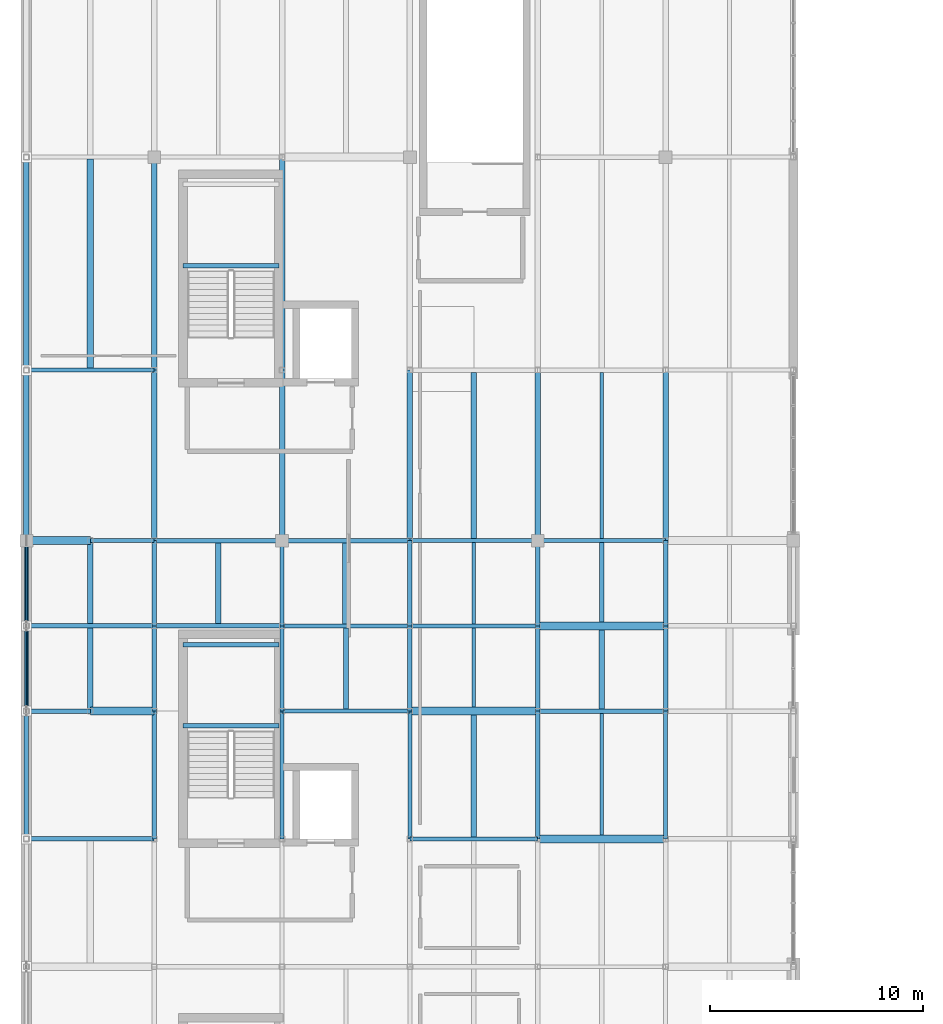
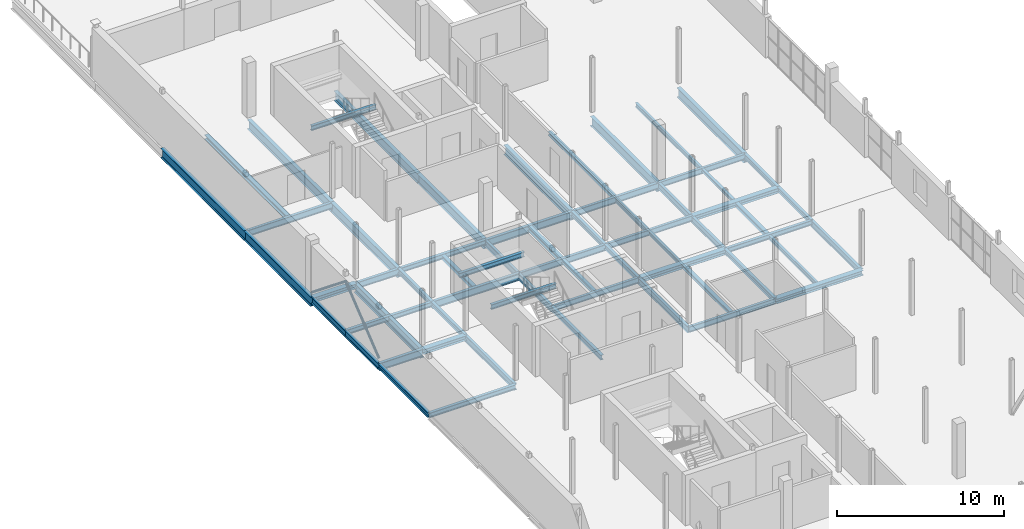
# One storey, part 16 of 35: 63 beams, 2 members.
"""IFC4 building model written with IfcOpenShell, lengths in metres."""

from ifc_helpers import new_model, si_unit, direction, frame, origin, origin_2d, place, context, subcontext, project, spatial, hollow_circle, i_section, extrude, material, material_profile, profile_set, type_object, element, save


model = new_model("IFC4")

# Units and contexts
model_context = context("Model", 3, precision=1e-05, world=origin(), true_north=direction((0.0, 1.0)))
body_context = subcontext(model_context, "Body", "Model", "MODEL_VIEW")
ifc_project = project(units=[si_unit("LENGTHUNIT", "METRE"), si_unit("AREAUNIT", "SQUARE_METRE"), si_unit("VOLUMEUNIT", "CUBIC_METRE"), si_unit("PLANEANGLEUNIT", "RADIAN"), si_unit("MASSUNIT", "GRAM", prefix="KILO")], contexts=[model_context])

# Site, building, storey
site_placement = place(None, origin())
site = spatial("IfcSite", under=ifc_project, at=site_placement, CompositionType="ELEMENT")
building_placement = place(site_placement, origin())
building = spatial("IfcBuilding", under=site, at=building_placement, Name="Verrall Gate Interchange", CompositionType="ELEMENT")
storey_placement = place(building_placement, frame((0.0, 0.0, 15.39990234375)))
storey = spatial("IfcBuildingStorey", under=building, at=storey_placement, Name="L04", CompositionType="ELEMENT", Elevation=15.39990234375)

# Beams
ifc_material_1 = material(Name="Structural Steel CSA G40.21 350WT Cat 4", Category="steel")
ifc_material_profile_1 = material_profile(ifc_material_1, i_section(OverallWidth=0.256103515625, OverallDepth=0.693115234375, WebThickness=0.01318359375, FlangeThickness=0.02001953125, FilletRadius=0.01611328125, at=origin_2d()), Name="W690x170")
ifc_profile_set_1 = profile_set([ifc_material_profile_1], Name="Structural Steel CSA G40.21 350WT Cat 4")
beam_type_1 = type_object("IfcBeamType", Name="B-07 Structural Beam W690x170", PredefinedType="BEAM", material=ifc_profile_set_1)
beam_1_placement = place(storey_placement, frame((0.0, 48.0, -0.676513671875), z_axis=(0.0, 1.0, 0.0), x_axis=(-1.0, 0.0, 0.0)))
element("IfcBeam", 1, at=beam_1_placement, inside=storey, type_object=beam_type_1, Name="L04 Girder BM-L04-2640 (B-07)", PredefinedType="BEAM", context=body_context, shape_type="SweptSolid", body=[
    extrude(i_section(OverallWidth=0.256103515625, OverallDepth=0.693115234375, WebThickness=0.01318359375, FlangeThickness=0.02001953125, FilletRadius=0.01611328125, at=origin_2d()), origin(), (0.0, 0.0, 1.0), 8.0),
])
beam_2_placement = place(storey_placement, frame((0.0, 56.0, -0.676513671875), z_axis=(0.0, 1.0, 0.0), x_axis=(-1.0, 0.0, 0.0)))
element("IfcBeam", 2, at=beam_2_placement, inside=storey, type_object=beam_type_1, Name="L04 Girder BM-L04-2641 (B-07)", PredefinedType="BEAM", context=body_context, shape_type="SweptSolid", body=[
    extrude(i_section(OverallWidth=0.256103515625, OverallDepth=0.693115234375, WebThickness=0.01318359375, FlangeThickness=0.02001953125, FilletRadius=0.01611328125, at=origin_2d()), origin(), (0.0, 0.0, 1.0), 10.0),
])
for number, where, z_axis, x_axis, name in (
    (3, (3.0, 40.0, -0.676513671875), (0.0, 1.0, 0.0), (-1.0, 0.0, 0.0), "L04 Girder BM-L04-2644 (B-07)"),
    (4, (6.0, 48.0, -0.676513671875), (0.0, 1.0, 0.0), (-1.0, 0.0, 0.0), "L04 Girder BM-L04-2654 (B-07)"),
):
    element("IfcBeam", number, at=place(storey_placement, frame(where, z_axis=z_axis, x_axis=x_axis)), inside=storey, type_object=beam_type_1, Name=name, PredefinedType="BEAM", context=body_context, shape_type="SweptSolid", body=[
        extrude(i_section(OverallWidth=0.256103515625, OverallDepth=0.693115234375, WebThickness=0.01318359375, FlangeThickness=0.02001953125, FilletRadius=0.01611328125, at=origin_2d()), origin(), (0.0, 0.0, 1.0), 8.0),
    ])
beam_3_placement = place(storey_placement, frame((6.0, 56.0, -0.676513671875), z_axis=(0.0, 1.0, 0.0), x_axis=(-1.0, 0.0, 0.0)))
element("IfcBeam", 5, at=beam_3_placement, inside=storey, type_object=beam_type_1, Name="L04 Girder BM-L04-2655 (B-07)", PredefinedType="BEAM", context=body_context, shape_type="SweptSolid", body=[
    extrude(i_section(OverallWidth=0.256103515625, OverallDepth=0.693115234375, WebThickness=0.01318359375, FlangeThickness=0.02001953125, FilletRadius=0.01611328125, at=origin_2d()), origin(), (0.0, 0.0, 1.0), 10.0),
])
beam_4_placement = place(storey_placement, frame((12.0, 48.0, -0.676513671875), z_axis=(0.0, 1.0, 0.0), x_axis=(-1.0, 0.0, 0.0)))
element("IfcBeam", 6, at=beam_4_placement, inside=storey, type_object=beam_type_1, Name="L04 Girder BM-L04-2667 (B-07)", PredefinedType="BEAM", context=body_context, shape_type="SweptSolid", body=[
    extrude(i_section(OverallWidth=0.256103515625, OverallDepth=0.693115234375, WebThickness=0.01318359375, FlangeThickness=0.02001953125, FilletRadius=0.01611328125, at=origin_2d()), origin(), (0.0, 0.0, 1.0), 8.0),
])
beam_5_placement = place(storey_placement, frame((12.0, 56.0, -0.676513671875), z_axis=(0.0, 1.0, 0.0), x_axis=(-1.0, 0.0, 0.0)))
element("IfcBeam", 7, at=beam_5_placement, inside=storey, type_object=beam_type_1, Name="L04 Girder BM-L04-2668 (B-07)", PredefinedType="BEAM", context=body_context, shape_type="SweptSolid", body=[
    extrude(i_section(OverallWidth=0.256103515625, OverallDepth=0.693115234375, WebThickness=0.01318359375, FlangeThickness=0.02001953125, FilletRadius=0.01611328125, at=origin_2d()), origin(), (0.0, 0.0, 1.0), 10.0),
])
for number, where, z_axis, x_axis, name in (
    (8, (18.0, 48.0, -0.676513671875), (0.0, 1.0, 0.0), (-1.0, 0.0, 0.0), "L04 Girder BM-L04-2680 (B-07)"),
    (9, (24.0, 48.0, -0.676513671875), (0.0, 1.0, 0.0), (-1.0, 0.0, 0.0), "L04 Girder BM-L04-2693 (B-07)"),
    (10, (30.0, 48.0, -0.676513671875), (0.0, 1.0, 0.0), (-1.0, 0.0, 0.0), "L04 Girder BM-L04-2706 (B-07)"),
):
    element("IfcBeam", number, at=place(storey_placement, frame(where, z_axis=z_axis, x_axis=x_axis)), inside=storey, type_object=beam_type_1, Name=name, PredefinedType="BEAM", context=body_context, shape_type="SweptSolid", body=[
        extrude(i_section(OverallWidth=0.256103515625, OverallDepth=0.693115234375, WebThickness=0.01318359375, FlangeThickness=0.02001953125, FilletRadius=0.01611328125, at=origin_2d()), origin(), (0.0, 0.0, 1.0), 8.0),
    ])
ifc_material_2 = material(Name="Structural Steel CSA G40.21 350W", Category="steel")
ifc_material_profile_2 = material_profile(ifc_material_2, i_section(OverallWidth=0.2109375, OverallDepth=0.5390625, WebThickness=0.01171875, FlangeThickness=0.018798828125, FilletRadius=0.013916015625, at=origin_2d()), Name="W530x109")
ifc_profile_set_2 = profile_set([ifc_material_profile_2], Name="Structural Steel CSA G40.21 350W")
beam_type_2 = type_object("IfcBeamType", Name="B-10 Structural Beam W530x109", PredefinedType="BEAM", material=ifc_profile_set_2)
beam_6_placement = place(storey_placement, frame((0.0, 40.0, -0.599365234375), z_axis=(1.0, 0.0, 0.0), x_axis=(0.0, 1.0, 0.0)))
element("IfcBeam", 11, at=beam_6_placement, inside=storey, type_object=beam_type_2, Name="L04 Girder BM-L04-2580 (B-10)", PredefinedType="BEAM", context=body_context, shape_type="SweptSolid", body=[
    extrude(i_section(OverallWidth=0.2109375, OverallDepth=0.5390625, WebThickness=0.01171875, FlangeThickness=0.018798828125, FilletRadius=0.013916015625, at=origin_2d()), origin(), (0.0, 0.0, 1.0), 3.0),
])
for number, where, z_axis, x_axis, name in (
    (12, (6.0, 44.0, -0.599365234375), (1.0, 0.0, 0.0), (0.0, 1.0, 0.0), "L04 Girder BM-L04-2592 (B-10)"),
    (13, (12.0, 48.0, -0.599365234375), (1.0, 0.0, 0.0), (0.0, 1.0, 0.0), "L04 Girder BM-L04-2606 (B-10)"),
):
    element("IfcBeam", number, at=place(storey_placement, frame(where, z_axis=z_axis, x_axis=x_axis)), inside=storey, type_object=beam_type_2, Name=name, PredefinedType="BEAM", context=body_context, shape_type="SweptSolid", body=[
        extrude(i_section(OverallWidth=0.2109375, OverallDepth=0.5390625, WebThickness=0.01171875, FlangeThickness=0.018798828125, FilletRadius=0.013916015625, at=origin_2d()), origin(), (0.0, 0.0, 1.0), 6.0),
    ])
ifc_material_3 = material(Name="Structural Steel CSA G40.21 350W", Category="steel")
ifc_material_profile_3 = material_profile(ifc_material_3, i_section(OverallWidth=0.19189453125, OverallDepth=0.462890625, WebThickness=0.010498046875, FlangeThickness=0.017578125, FilletRadius=0.012939453125, at=origin_2d()), Name="W460x89")
ifc_profile_set_3 = profile_set([ifc_material_profile_3], Name="Structural Steel CSA G40.21 350W")
beam_type_3 = type_object("IfcBeamType", Name="B-11 Structural Beam W460x89", PredefinedType="BEAM", material=ifc_profile_set_3)
beam_7_placement = place(storey_placement, frame((12.0, 44.0, -0.5615234375), z_axis=(1.0, 0.0, 0.0), x_axis=(0.0, 1.0, 0.0)))
element("IfcBeam", 14, at=beam_7_placement, inside=storey, type_object=beam_type_3, Name="L04 Girder BM-L04-2593 (B-11)", PredefinedType="BEAM", context=body_context, shape_type="SweptSolid", body=[
    extrude(i_section(OverallWidth=0.19189453125, OverallDepth=0.462890625, WebThickness=0.010498046875, FlangeThickness=0.017578125, FilletRadius=0.012939453125, at=origin_2d()), origin(), (0.0, 0.0, 1.0), 6.0),
])
beam_8_placement = place(storey_placement, frame((3.0, 48.0, -0.5615234375), z_axis=(1.0, 0.0, 0.0), x_axis=(0.0, 1.0, 0.0)))
element("IfcBeam", 15, at=beam_8_placement, inside=storey, type_object=beam_type_3, Name="L04 Girder BM-L04-2604 (B-11)", PredefinedType="BEAM", context=body_context, shape_type="SweptSolid", body=[
    extrude(i_section(OverallWidth=0.19189453125, OverallDepth=0.462890625, WebThickness=0.010498046875, FlangeThickness=0.017578125, FilletRadius=0.012939453125, at=origin_2d()), origin(), (0.0, 0.0, 1.0), 3.0),
])
for number, where, z_axis, x_axis, name in (
    (16, (18.0, 48.0, -0.5615234375), (1.0, 0.0, 0.0), (0.0, 1.0, 0.0), "L04 Girder BM-L04-2607 (B-11)"),
    (17, (0.0, 56.0, -0.5615234375), (1.0, 0.0, 0.0), (0.0, 1.0, 0.0), "L04 Girder BM-L04-2610 (B-11)"),
):
    element("IfcBeam", number, at=place(storey_placement, frame(where, z_axis=z_axis, x_axis=x_axis)), inside=storey, type_object=beam_type_3, Name=name, PredefinedType="BEAM", context=body_context, shape_type="SweptSolid", body=[
        extrude(i_section(OverallWidth=0.19189453125, OverallDepth=0.462890625, WebThickness=0.010498046875, FlangeThickness=0.017578125, FilletRadius=0.012939453125, at=origin_2d()), origin(), (0.0, 0.0, 1.0), 6.0),
    ])
for number, where, z_axis, x_axis, name in (
    (18, (0.0, 40.0, -0.5615234375), (0.0, 1.0, 0.0), (-1.0, 0.0, 0.0), "L04 Girder BM-L04-2638 (B-11)"),
    (19, (0.0, 44.0, -0.5615234375), (0.0, 1.0, 0.0), (-1.0, 0.0, 0.0), "L04 Girder BM-L04-2639 (B-11)"),
):
    element("IfcBeam", number, at=place(storey_placement, frame(where, z_axis=z_axis, x_axis=x_axis)), inside=storey, type_object=beam_type_3, Name=name, PredefinedType="BEAM", context=body_context, shape_type="SweptSolid", body=[
        extrude(i_section(OverallWidth=0.19189453125, OverallDepth=0.462890625, WebThickness=0.010498046875, FlangeThickness=0.017578125, FilletRadius=0.012939453125, at=origin_2d()), origin(), (0.0, 0.0, 1.0), 4.0),
    ])
beam_9_placement = place(storey_placement, frame((6.0, 34.0, -0.5615234375), z_axis=(0.0, 1.0, 0.0), x_axis=(-1.0, 0.0, 0.0)))
element("IfcBeam", 20, at=beam_9_placement, inside=storey, type_object=beam_type_3, Name="L04 Girder BM-L04-2651 (B-11)", PredefinedType="BEAM", context=body_context, shape_type="SweptSolid", body=[
    extrude(i_section(OverallWidth=0.19189453125, OverallDepth=0.462890625, WebThickness=0.010498046875, FlangeThickness=0.017578125, FilletRadius=0.012939453125, at=origin_2d()), origin(), (0.0, 0.0, 1.0), 6.0),
])
for number, where, z_axis, x_axis, name in (
    (21, (12.0, 40.0, -0.5615234375), (0.0, 1.0, 0.0), (-1.0, 0.0, 0.0), "L04 Girder BM-L04-2665 (B-11)"),
    (22, (12.0, 44.0, -0.5615234375), (0.0, 1.0, 0.0), (-1.0, 0.0, 0.0), "L04 Girder BM-L04-2666 (B-11)"),
):
    element("IfcBeam", number, at=place(storey_placement, frame(where, z_axis=z_axis, x_axis=x_axis)), inside=storey, type_object=beam_type_3, Name=name, PredefinedType="BEAM", context=body_context, shape_type="SweptSolid", body=[
        extrude(i_section(OverallWidth=0.19189453125, OverallDepth=0.462890625, WebThickness=0.010498046875, FlangeThickness=0.017578125, FilletRadius=0.012939453125, at=origin_2d()), origin(), (0.0, 0.0, 1.0), 4.0),
    ])
beam_10_placement = place(storey_placement, frame((18.0, 34.0, -0.5615234375), z_axis=(0.0, 1.0, 0.0), x_axis=(-1.0, 0.0, 0.0)))
element("IfcBeam", 23, at=beam_10_placement, inside=storey, type_object=beam_type_3, Name="L04 Girder BM-L04-2677 (B-11)", PredefinedType="BEAM", context=body_context, shape_type="SweptSolid", body=[
    extrude(i_section(OverallWidth=0.19189453125, OverallDepth=0.462890625, WebThickness=0.010498046875, FlangeThickness=0.017578125, FilletRadius=0.012939453125, at=origin_2d()), origin(), (0.0, 0.0, 1.0), 6.0),
])
for number, where, z_axis, x_axis, name in (
    (24, (24.0, 40.0, -0.5615234375), (0.0, 1.0, 0.0), (-1.0, 0.0, 0.0), "L04 Girder BM-L04-2691 (B-11)"),
    (25, (24.0, 44.0, -0.5615234375), (0.0, 1.0, 0.0), (-1.0, 0.0, 0.0), "L04 Girder BM-L04-2692 (B-11)"),
):
    element("IfcBeam", number, at=place(storey_placement, frame(where, z_axis=z_axis, x_axis=x_axis)), inside=storey, type_object=beam_type_3, Name=name, PredefinedType="BEAM", context=body_context, shape_type="SweptSolid", body=[
        extrude(i_section(OverallWidth=0.19189453125, OverallDepth=0.462890625, WebThickness=0.010498046875, FlangeThickness=0.017578125, FilletRadius=0.012939453125, at=origin_2d()), origin(), (0.0, 0.0, 1.0), 4.0),
    ])
beam_11_placement = place(storey_placement, frame((30.0, 34.0, -0.5615234375), z_axis=(0.0, 1.0, 0.0), x_axis=(-1.0, 0.0, 0.0)))
element("IfcBeam", 26, at=beam_11_placement, inside=storey, type_object=beam_type_3, Name="L04 Girder BM-L04-2703 (B-11)", PredefinedType="BEAM", context=body_context, shape_type="SweptSolid", body=[
    extrude(i_section(OverallWidth=0.19189453125, OverallDepth=0.462890625, WebThickness=0.010498046875, FlangeThickness=0.017578125, FilletRadius=0.012939453125, at=origin_2d()), origin(), (0.0, 0.0, 1.0), 6.0),
])
ifc_material_4 = material(Name="Structural Steel CSA G40.21 350W", Category="steel")
ifc_material_profile_4 = material_profile(ifc_material_4, i_section(OverallWidth=0.178955078125, OverallDepth=0.409912109375, WebThickness=0.0087890625, FlangeThickness=0.014404296875, FilletRadius=0.011962890625, at=origin_2d()), Name="W410x67")
ifc_profile_set_4 = profile_set([ifc_material_profile_4], Name="Structural Steel CSA G40.21 350W")
beam_type_4 = type_object("IfcBeamType", Name="B-12 Structural Beam W410x67", PredefinedType="BEAM", material=ifc_profile_set_4)
for number, where, z_axis, x_axis, name in (
    (27, (18.0, 34.0, -0.534912109375), (1.0, 0.0, 0.0), (0.0, 1.0, 0.0), "L04 Girder BM-L04-2573 (B-12)"),
    (28, (12.0, 40.0, -0.534912109375), (1.0, 0.0, 0.0), (0.0, 1.0, 0.0), "L04 Girder BM-L04-2582 (B-12)"),
    (29, (18.0, 44.0, -0.534912109375), (1.0, 0.0, 0.0), (0.0, 1.0, 0.0), "L04 Girder BM-L04-2594 (B-12)"),
    (30, (24.0, 48.0, -0.534912109375), (1.0, 0.0, 0.0), (0.0, 1.0, 0.0), "L04 Girder BM-L04-2608 (B-12)"),
):
    element("IfcBeam", number, at=place(storey_placement, frame(where, z_axis=z_axis, x_axis=x_axis)), inside=storey, type_object=beam_type_4, Name=name, PredefinedType="BEAM", context=body_context, shape_type="SweptSolid", body=[
        extrude(i_section(OverallWidth=0.178955078125, OverallDepth=0.409912109375, WebThickness=0.0087890625, FlangeThickness=0.014404296875, FilletRadius=0.011962890625, at=origin_2d()), origin(), (0.0, 0.0, 1.0), 6.0),
    ])
ifc_material_5 = material(Name="Structural Steel CSA G40.21 350W", Category="steel")
ifc_material_profile_5 = material_profile(ifc_material_5, i_section(OverallWidth=0.368896484375, OverallDepth=0.35595703125, WebThickness=0.01123046875, FlangeThickness=0.01806640625, FilletRadius=0.014892578125, at=origin_2d()), Name="W360x134")
ifc_profile_set_5 = profile_set([ifc_material_profile_5], Name="Structural Steel CSA G40.21 350W")
beam_type_5 = type_object("IfcBeamType", Name="B-13 Structural Beam W360x134", PredefinedType="BEAM", material=ifc_profile_set_5)
beam_12_placement = place(storey_placement, frame((24.0, 34.0, -0.5078125), z_axis=(1.0, 0.0, 0.0), x_axis=(0.0, 1.0, 0.0)))
element("IfcBeam", 31, at=beam_12_placement, inside=storey, type_object=beam_type_5, Name="L04 Girder BM-L04-2574 (B-13)", PredefinedType="BEAM", context=body_context, shape_type="SweptSolid", body=[
    extrude(i_section(OverallWidth=0.368896484375, OverallDepth=0.35595703125, WebThickness=0.01123046875, FlangeThickness=0.01806640625, FilletRadius=0.014892578125, at=origin_2d()), origin(), (0.0, 0.0, 1.0), 6.0),
])
beam_13_placement = place(storey_placement, frame((3.0, 40.0, -0.5078125), z_axis=(1.0, 0.0, 0.0), x_axis=(0.0, 1.0, 0.0)))
element("IfcBeam", 32, at=beam_13_placement, inside=storey, type_object=beam_type_5, Name="L04 Girder BM-L04-2581 (B-13)", PredefinedType="BEAM", context=body_context, shape_type="SweptSolid", body=[
    extrude(i_section(OverallWidth=0.368896484375, OverallDepth=0.35595703125, WebThickness=0.01123046875, FlangeThickness=0.01806640625, FilletRadius=0.014892578125, at=origin_2d()), origin(), (0.0, 0.0, 1.0), 3.0),
])
for number, where, z_axis, x_axis, name in (
    (33, (18.0, 40.0, -0.5078125), (1.0, 0.0, 0.0), (0.0, 1.0, 0.0), "L04 Girder BM-L04-2583 (B-13)"),
    (34, (24.0, 44.0, -0.5078125), (1.0, 0.0, 0.0), (0.0, 1.0, 0.0), "L04 Girder BM-L04-2595 (B-13)"),
):
    element("IfcBeam", number, at=place(storey_placement, frame(where, z_axis=z_axis, x_axis=x_axis)), inside=storey, type_object=beam_type_5, Name=name, PredefinedType="BEAM", context=body_context, shape_type="SweptSolid", body=[
        extrude(i_section(OverallWidth=0.368896484375, OverallDepth=0.35595703125, WebThickness=0.01123046875, FlangeThickness=0.01806640625, FilletRadius=0.014892578125, at=origin_2d()), origin(), (0.0, 0.0, 1.0), 6.0),
    ])
beam_14_placement = place(storey_placement, frame((0.0, 48.0, -0.5078125), z_axis=(1.0, 0.0, 0.0), x_axis=(0.0, 1.0, 0.0)))
element("IfcBeam", 35, at=beam_14_placement, inside=storey, type_object=beam_type_5, Name="L04 Girder BM-L04-2603 (B-13)", PredefinedType="BEAM", context=body_context, shape_type="SweptSolid", body=[
    extrude(i_section(OverallWidth=0.368896484375, OverallDepth=0.35595703125, WebThickness=0.01123046875, FlangeThickness=0.01806640625, FilletRadius=0.014892578125, at=origin_2d()), origin(), (0.0, 0.0, 1.0), 3.0),
])
ifc_material_6 = material(Name="Structural Steel CSA G40.21 350W", Category="steel")
ifc_material_profile_6 = material_profile(ifc_material_6, i_section(OverallWidth=0.205078125, OverallDepth=0.35400390625, WebThickness=0.009521484375, FlangeThickness=0.016845703125, FilletRadius=0.012939453125, at=origin_2d()), Name="W360x79")
ifc_profile_set_6 = profile_set([ifc_material_profile_6], Name="Structural Steel CSA G40.21 350W")
beam_type_6 = type_object("IfcBeamType", Name="B-14 Structural Beam W360x79", PredefinedType="BEAM", material=ifc_profile_set_6)
for number, where, z_axis, x_axis, name in (
    (36, (0.0, 34.0, -0.5068359375), (1.0, 0.0, 0.0), (0.0, 1.0, 0.0), "L04 Girder BM-L04-2572 (B-14)"),
    (37, (24.0, 40.0, -0.5068359375), (1.0, 0.0, 0.0), (0.0, 1.0, 0.0), "L04 Girder BM-L04-2584 (B-14)"),
    (38, (0.0, 44.0, -0.5068359375), (1.0, 0.0, 0.0), (0.0, 1.0, 0.0), "L04 Girder BM-L04-2591 (B-14)"),
    (39, (6.0, 48.0, -0.5068359375), (1.0, 0.0, 0.0), (0.0, 1.0, 0.0), "L04 Girder BM-L04-2605 (B-14)"),
    (40, (0.0, 34.0, -0.5068359375), (0.0, 1.0, 0.0), (-1.0, 0.0, 0.0), "L04 Girder BM-L04-2637 (B-14)"),
):
    element("IfcBeam", number, at=place(storey_placement, frame(where, z_axis=z_axis, x_axis=x_axis)), inside=storey, type_object=beam_type_6, Name=name, PredefinedType="BEAM", context=body_context, shape_type="SweptSolid", body=[
        extrude(i_section(OverallWidth=0.205078125, OverallDepth=0.35400390625, WebThickness=0.009521484375, FlangeThickness=0.016845703125, FilletRadius=0.012939453125, at=origin_2d()), origin(), (0.0, 0.0, 1.0), 6.0),
    ])
for number, where, z_axis, x_axis, name in (
    (41, (6.0, 40.0, -0.5068359375), (0.0, 1.0, 0.0), (-1.0, 0.0, 0.0), "L04 Girder BM-L04-2652 (B-14)"),
    (42, (6.0, 44.0, -0.5068359375), (0.0, 1.0, 0.0), (-1.0, 0.0, 0.0), "L04 Girder BM-L04-2653 (B-14)"),
):
    element("IfcBeam", number, at=place(storey_placement, frame(where, z_axis=z_axis, x_axis=x_axis)), inside=storey, type_object=beam_type_6, Name=name, PredefinedType="BEAM", context=body_context, shape_type="SweptSolid", body=[
        extrude(i_section(OverallWidth=0.205078125, OverallDepth=0.35400390625, WebThickness=0.009521484375, FlangeThickness=0.016845703125, FilletRadius=0.012939453125, at=origin_2d()), origin(), (0.0, 0.0, 1.0), 4.0),
    ])
beam_15_placement = place(storey_placement, frame((12.0, 34.0, -0.5068359375), z_axis=(0.0, 1.0, 0.0), x_axis=(-1.0, 0.0, 0.0)))
element("IfcBeam", 43, at=beam_15_placement, inside=storey, type_object=beam_type_6, Name="L04 Girder BM-L04-2664 (B-14)", PredefinedType="BEAM", context=body_context, shape_type="SweptSolid", body=[
    extrude(i_section(OverallWidth=0.205078125, OverallDepth=0.35400390625, WebThickness=0.009521484375, FlangeThickness=0.016845703125, FilletRadius=0.012939453125, at=origin_2d()), origin(), (0.0, 0.0, 1.0), 6.0),
])
for number, where, z_axis, x_axis, name in (
    (44, (18.0, 40.0, -0.5068359375), (0.0, 1.0, 0.0), (-1.0, 0.0, 0.0), "L04 Girder BM-L04-2678 (B-14)"),
    (45, (18.0, 44.0, -0.5068359375), (0.0, 1.0, 0.0), (-1.0, 0.0, 0.0), "L04 Girder BM-L04-2679 (B-14)"),
):
    element("IfcBeam", number, at=place(storey_placement, frame(where, z_axis=z_axis, x_axis=x_axis)), inside=storey, type_object=beam_type_6, Name=name, PredefinedType="BEAM", context=body_context, shape_type="SweptSolid", body=[
        extrude(i_section(OverallWidth=0.205078125, OverallDepth=0.35400390625, WebThickness=0.009521484375, FlangeThickness=0.016845703125, FilletRadius=0.012939453125, at=origin_2d()), origin(), (0.0, 0.0, 1.0), 4.0),
    ])
beam_16_placement = place(storey_placement, frame((24.0, 34.0, -0.5068359375), z_axis=(0.0, 1.0, 0.0), x_axis=(-1.0, 0.0, 0.0)))
element("IfcBeam", 46, at=beam_16_placement, inside=storey, type_object=beam_type_6, Name="L04 Girder BM-L04-2690 (B-14)", PredefinedType="BEAM", context=body_context, shape_type="SweptSolid", body=[
    extrude(i_section(OverallWidth=0.205078125, OverallDepth=0.35400390625, WebThickness=0.009521484375, FlangeThickness=0.016845703125, FilletRadius=0.012939453125, at=origin_2d()), origin(), (0.0, 0.0, 1.0), 6.0),
])
for number, where, z_axis, x_axis, name in (
    (47, (30.0, 40.0, -0.5068359375), (0.0, 1.0, 0.0), (-1.0, 0.0, 0.0), "L04 Girder BM-L04-2704 (B-14)"),
    (48, (30.0, 44.0, -0.5068359375), (0.0, 1.0, 0.0), (-1.0, 0.0, 0.0), "L04 Girder BM-L04-2705 (B-14)"),
):
    element("IfcBeam", number, at=place(storey_placement, frame(where, z_axis=z_axis, x_axis=x_axis)), inside=storey, type_object=beam_type_6, Name=name, PredefinedType="BEAM", context=body_context, shape_type="SweptSolid", body=[
        extrude(i_section(OverallWidth=0.205078125, OverallDepth=0.35400390625, WebThickness=0.009521484375, FlangeThickness=0.016845703125, FilletRadius=0.012939453125, at=origin_2d()), origin(), (0.0, 0.0, 1.0), 4.0),
    ])
for number, where, z_axis, x_axis, name in (
    (49, (7.35009765625, 39.31005859375, 1.630126953125), (1.0, 0.0, 0.0), (0.0, 1.0, 0.0), "L04 Core C2 Mid-Landing Beam 1"),
    (50, (7.35009765625, 43.1201171875, 1.630126953125), (1.0, 0.0, 0.0), (0.0, 1.0, 0.0), "L04 Core C2 Mid-Landing Beam 2"),
    (51, (7.35009765625, 60.909912109375, 1.630126953125), (1.0, 0.0, 0.0), (0.0, 1.0, 0.0), "L04 Core C3 Mid-Landing Beam 1"),
):
    element("IfcBeam", number, at=place(storey_placement, frame(where, z_axis=z_axis, x_axis=x_axis)), inside=storey, type_object=beam_type_6, Name=name, PredefinedType="BEAM", context=body_context, shape_type="SweptSolid", body=[
        extrude(i_section(OverallWidth=0.205078125, OverallDepth=0.35400390625, WebThickness=0.009521484375, FlangeThickness=0.016845703125, FilletRadius=0.012939453125, at=origin_2d()), origin(), (0.0, 0.0, 1.0), 4.5),
    ])

# Members
ifc_material_7 = material(Name="Structural Steel CSA G40.21 350W", Category="steel")
ifc_material_profile_7 = material_profile(ifc_material_7, hollow_circle(Radius=0.084228515625, WallThickness=0.00634765625, at=origin_2d()), Name="HSS168x6.4")
ifc_profile_set_7 = profile_set([ifc_material_profile_7], Name="Structural Steel CSA G40.21 350W")
member_type = type_object("IfcMemberType", Name="BR-03 Diagonal Brace HSS168x6.4", PredefinedType="BRACE", material=ifc_profile_set_7)
for number, where, z_axis, x_axis, name in (
    (52, (0.0, 40.0, 0.0), (0.0, 0.778944845992, 0.627092438882), (-1.0, 0.0, 0.0), "Chevron Brace CBF3 L04 Leg A"),
    (53, (0.0, 48.0, 0.0), (0.0, -0.778944845992, 0.627092438882), (1.0, 0.0, 0.0), "Chevron Brace CBF3 L04 Leg B"),
):
    element("IfcMember", number, at=place(storey_placement, frame(where, z_axis=z_axis, x_axis=x_axis)), inside=storey, type_object=member_type, Name=name, PredefinedType="BRACE", context=body_context, shape_type="SweptSolid", body=[
        extrude(hollow_circle(Radius=0.084228515625, WallThickness=0.00634765625, at=origin_2d()), origin(), (0.0, 0.0, 1.0), 5.13525390625),
    ])

# Beams
ifc_material_8 = material(Name="Structural Steel CSA G40.21 350W", Category="steel")
ifc_material_profile_8 = material_profile(ifc_material_8, i_section(OverallWidth=0.172119140625, OverallDepth=0.35791015625, WebThickness=0.0078125, FlangeThickness=0.01318359375, FilletRadius=0.010986328125, at=origin_2d()), Name="W360x57")
ifc_profile_set_8 = profile_set([ifc_material_profile_8], Name="Structural Steel CSA G40.21 350W")
beam_type_7 = type_object("IfcBeamType", Name="J-01 Floor Joist W360x57", PredefinedType="JOIST", material=ifc_profile_set_8)
beam_17_placement = place(storey_placement, frame((21.0, 44.089599609375, -0.5087890625), z_axis=(0.0, 1.0, 0.0), x_axis=(-1.0, 0.0, 0.0)))
element("IfcBeam", 54, at=beam_17_placement, inside=storey, type_object=beam_type_7, Name="L04 Secondary Floor Joist JST-L04-2826", PredefinedType="JOIST", context=body_context, shape_type="SweptSolid", body=[
    extrude(i_section(OverallWidth=0.172119140625, OverallDepth=0.35791015625, WebThickness=0.0078125, FlangeThickness=0.01318359375, FilletRadius=0.010986328125, at=origin_2d()), origin(), (0.0, 0.0, 1.0), 3.814453125),
])
ifc_material_9 = material(Name="Structural Steel CSA G40.21 350W", Category="steel")
ifc_material_profile_9 = material_profile(ifc_material_9, i_section(OverallWidth=0.306884765625, OverallDepth=0.31396484375, WebThickness=0.011962890625, FlangeThickness=0.018798828125, FilletRadius=0.013916015625, at=origin_2d()), Name="W310x118")
ifc_profile_set_9 = profile_set([ifc_material_profile_9], Name="Structural Steel CSA G40.21 350W")
beam_type_8 = type_object("IfcBeamType", Name="J-02 Floor Joist W310x118", PredefinedType="JOIST", material=ifc_profile_set_9)
beam_18_placement = place(storey_placement, frame((15.0, 44.095947265625, -0.48681640625), z_axis=(0.0, 1.0, 0.0), x_axis=(-1.0, 0.0, 0.0)))
element("IfcBeam", 55, at=beam_18_placement, inside=storey, type_object=beam_type_8, Name="L04 Secondary Floor Joist JST-L04-2825", PredefinedType="JOIST", context=body_context, shape_type="SweptSolid", body=[
    extrude(i_section(OverallWidth=0.306884765625, OverallDepth=0.31396484375, WebThickness=0.011962890625, FlangeThickness=0.018798828125, FilletRadius=0.013916015625, at=origin_2d()), origin(), (0.0, 0.0, 1.0), 3.798583984375),
])
beam_19_placement = place(storey_placement, frame((3.0, 56.095947265625, -0.48681640625), z_axis=(0.0, 1.0, 0.0), x_axis=(-1.0, 0.0, 0.0)))
element("IfcBeam", 56, at=beam_19_placement, inside=storey, type_object=beam_type_8, Name="L04 Secondary Floor Joist JST-L04-2832", PredefinedType="JOIST", context=body_context, shape_type="SweptSolid", body=[
    extrude(i_section(OverallWidth=0.306884765625, OverallDepth=0.31396484375, WebThickness=0.011962890625, FlangeThickness=0.018798828125, FilletRadius=0.013916015625, at=origin_2d()), origin(), (0.0, 0.0, 1.0), 9.80810546875),
])
ifc_material_10 = material(Name="Structural Steel CSA G40.21 350W", Category="steel")
ifc_material_profile_10 = material_profile(ifc_material_10, i_section(OverallWidth=0.25390625, OverallDepth=0.305908203125, WebThickness=0.0087890625, FlangeThickness=0.0146484375, FilletRadius=0.012939453125, at=origin_2d()), Name="W310x79")
ifc_profile_set_10 = profile_set([ifc_material_profile_10], Name="Structural Steel CSA G40.21 350W")
beam_type_9 = type_object("IfcBeamType", Name="J-03 Floor Joist W310x79", PredefinedType="JOIST", material=ifc_profile_set_10)
beam_20_placement = place(storey_placement, frame((27.0, 40.1025390625, -0.48291015625), z_axis=(0.0, 1.0, 0.0), x_axis=(-1.0, 0.0, 0.0)))
element("IfcBeam", 57, at=beam_20_placement, inside=storey, type_object=beam_type_9, Name="L04 Secondary Floor Joist JST-L04-2817", PredefinedType="JOIST", context=body_context, shape_type="SweptSolid", body=[
    extrude(i_section(OverallWidth=0.25390625, OverallDepth=0.305908203125, WebThickness=0.0087890625, FlangeThickness=0.0146484375, FilletRadius=0.012939453125, at=origin_2d()), origin(), (0.0, 0.0, 1.0), 3.712890625),
])
beam_21_placement = place(storey_placement, frame((9.0, 44.10546875, -0.48291015625), z_axis=(0.0, 1.0, 0.0), x_axis=(-1.0, 0.0, 0.0)))
element("IfcBeam", 58, at=beam_21_placement, inside=storey, type_object=beam_type_9, Name="L04 Secondary Floor Joist JST-L04-2824", PredefinedType="JOIST", context=body_context, shape_type="SweptSolid", body=[
    extrude(i_section(OverallWidth=0.25390625, OverallDepth=0.305908203125, WebThickness=0.0087890625, FlangeThickness=0.0146484375, FilletRadius=0.012939453125, at=origin_2d()), origin(), (0.0, 0.0, 1.0), 3.7919921875),
])
ifc_material_11 = material(Name="Structural Steel CSA G40.21 350W", Category="steel")
ifc_material_profile_11 = material_profile(ifc_material_11, i_section(OverallWidth=0.1650390625, OverallDepth=0.31005859375, WebThickness=0.005859375, FlangeThickness=0.009765625, FilletRadius=0.010009765625, at=origin_2d()), Name="W310x39")
ifc_profile_set_11 = profile_set([ifc_material_profile_11], Name="Structural Steel CSA G40.21 350W")
beam_type_10 = type_object("IfcBeamType", Name="J-04 Floor Joist W310x39", PredefinedType="JOIST", material=ifc_profile_set_11)
beam_22_placement = place(storey_placement, frame((27.0, 34.1845703125, -0.48486328125), z_axis=(0.0, 1.0, 0.0), x_axis=(-1.0, 0.0, 0.0)))
element("IfcBeam", 59, at=beam_22_placement, inside=storey, type_object=beam_type_10, Name="L04 Secondary Floor Joist JST-L04-2809", PredefinedType="JOIST", context=body_context, shape_type="SweptSolid", body=[
    extrude(i_section(OverallWidth=0.1650390625, OverallDepth=0.31005859375, WebThickness=0.005859375, FlangeThickness=0.009765625, FilletRadius=0.010009765625, at=origin_2d()), origin(), (0.0, 0.0, 1.0), 5.712890625),
])
beam_23_placement = place(storey_placement, frame((21.0, 40.1845703125, -0.48486328125), z_axis=(0.0, 1.0, 0.0), x_axis=(-1.0, 0.0, 0.0)))
element("IfcBeam", 60, at=beam_23_placement, inside=storey, type_object=beam_type_10, Name="L04 Secondary Floor Joist JST-L04-2816", PredefinedType="JOIST", context=body_context, shape_type="SweptSolid", body=[
    extrude(i_section(OverallWidth=0.1650390625, OverallDepth=0.31005859375, WebThickness=0.005859375, FlangeThickness=0.009765625, FilletRadius=0.010009765625, at=origin_2d()), origin(), (0.0, 0.0, 1.0), 3.725830078125),
])
beam_24_placement = place(storey_placement, frame((27.0, 48.089599609375, -0.48486328125), z_axis=(0.0, 1.0, 0.0), x_axis=(-1.0, 0.0, 0.0)))
element("IfcBeam", 61, at=beam_24_placement, inside=storey, type_object=beam_type_10, Name="L04 Secondary Floor Joist JST-L04-2830", PredefinedType="JOIST", context=body_context, shape_type="SweptSolid", body=[
    extrude(i_section(OverallWidth=0.1650390625, OverallDepth=0.31005859375, WebThickness=0.005859375, FlangeThickness=0.009765625, FilletRadius=0.010009765625, at=origin_2d()), origin(), (0.0, 0.0, 1.0), 7.804931640625),
])
ifc_material_12 = material(Name="Structural Steel CSA G40.21 350W", Category="steel")
ifc_material_profile_12 = material_profile(ifc_material_12, i_section(OverallWidth=0.25390625, OverallDepth=0.2529296875, WebThickness=0.008544921875, FlangeThickness=0.01416015625, FilletRadius=0.011962890625, at=origin_2d()), Name="W250x73")
ifc_profile_set_12 = profile_set([ifc_material_profile_12], Name="Structural Steel CSA G40.21 350W")
beam_type_11 = type_object("IfcBeamType", Name="J-05 Floor Joist W250x73", PredefinedType="JOIST", material=ifc_profile_set_12)
beam_25_placement = place(storey_placement, frame((21.0, 34.089599609375, -0.456298828125), z_axis=(0.0, 1.0, 0.0), x_axis=(-1.0, 0.0, 0.0)))
element("IfcBeam", 62, at=beam_25_placement, inside=storey, type_object=beam_type_11, Name="L04 Secondary Floor Joist JST-L04-2808", PredefinedType="JOIST", context=body_context, shape_type="SweptSolid", body=[
    extrude(i_section(OverallWidth=0.25390625, OverallDepth=0.2529296875, WebThickness=0.008544921875, FlangeThickness=0.01416015625, FilletRadius=0.011962890625, at=origin_2d()), origin(), (0.0, 0.0, 1.0), 5.725830078125),
])
beam_26_placement = place(storey_placement, frame((15.0, 40.089599609375, -0.456298828125), z_axis=(0.0, 1.0, 0.0), x_axis=(-1.0, 0.0, 0.0)))
element("IfcBeam", 63, at=beam_26_placement, inside=storey, type_object=beam_type_11, Name="L04 Secondary Floor Joist JST-L04-2815", PredefinedType="JOIST", context=body_context, shape_type="SweptSolid", body=[
    extrude(i_section(OverallWidth=0.25390625, OverallDepth=0.2529296875, WebThickness=0.008544921875, FlangeThickness=0.01416015625, FilletRadius=0.011962890625, at=origin_2d()), origin(), (0.0, 0.0, 1.0), 3.814453125),
])
beam_27_placement = place(storey_placement, frame((21.0, 48.095947265625, -0.456298828125), z_axis=(0.0, 1.0, 0.0), x_axis=(-1.0, 0.0, 0.0)))
element("IfcBeam", 64, at=beam_27_placement, inside=storey, type_object=beam_type_11, Name="L04 Secondary Floor Joist JST-L04-2829", PredefinedType="JOIST", context=body_context, shape_type="SweptSolid", body=[
    extrude(i_section(OverallWidth=0.25390625, OverallDepth=0.2529296875, WebThickness=0.008544921875, FlangeThickness=0.01416015625, FilletRadius=0.011962890625, at=origin_2d()), origin(), (0.0, 0.0, 1.0), 7.801513671875),
])
ifc_material_13 = material(Name="Structural Steel CSA G40.21 350W", Category="steel")
ifc_material_profile_13 = material_profile(ifc_material_13, i_section(OverallWidth=0.202880859375, OverallDepth=0.202880859375, WebThickness=0.007080078125, FlangeThickness=0.010986328125, FilletRadius=0.010009765625, at=origin_2d()), Name="W200x46")
ifc_profile_set_13 = profile_set([ifc_material_profile_13], Name="Structural Steel CSA G40.21 350W")
beam_type_12 = type_object("IfcBeamType", Name="J-07 Floor Joist W200x46", PredefinedType="JOIST", material=ifc_profile_set_13)
beam_28_placement = place(storey_placement, frame((27.0, 44.1845703125, -0.431396484375), z_axis=(0.0, 1.0, 0.0), x_axis=(-1.0, 0.0, 0.0)))
element("IfcBeam", 65, at=beam_28_placement, inside=storey, type_object=beam_type_12, Name="L04 Secondary Floor Joist JST-L04-2827", PredefinedType="JOIST", context=body_context, shape_type="SweptSolid", body=[
    extrude(i_section(OverallWidth=0.202880859375, OverallDepth=0.202880859375, WebThickness=0.007080078125, FlangeThickness=0.010986328125, FilletRadius=0.010009765625, at=origin_2d()), origin(), (0.0, 0.0, 1.0), 3.725830078125),
])

save(model, "model.ifc")
